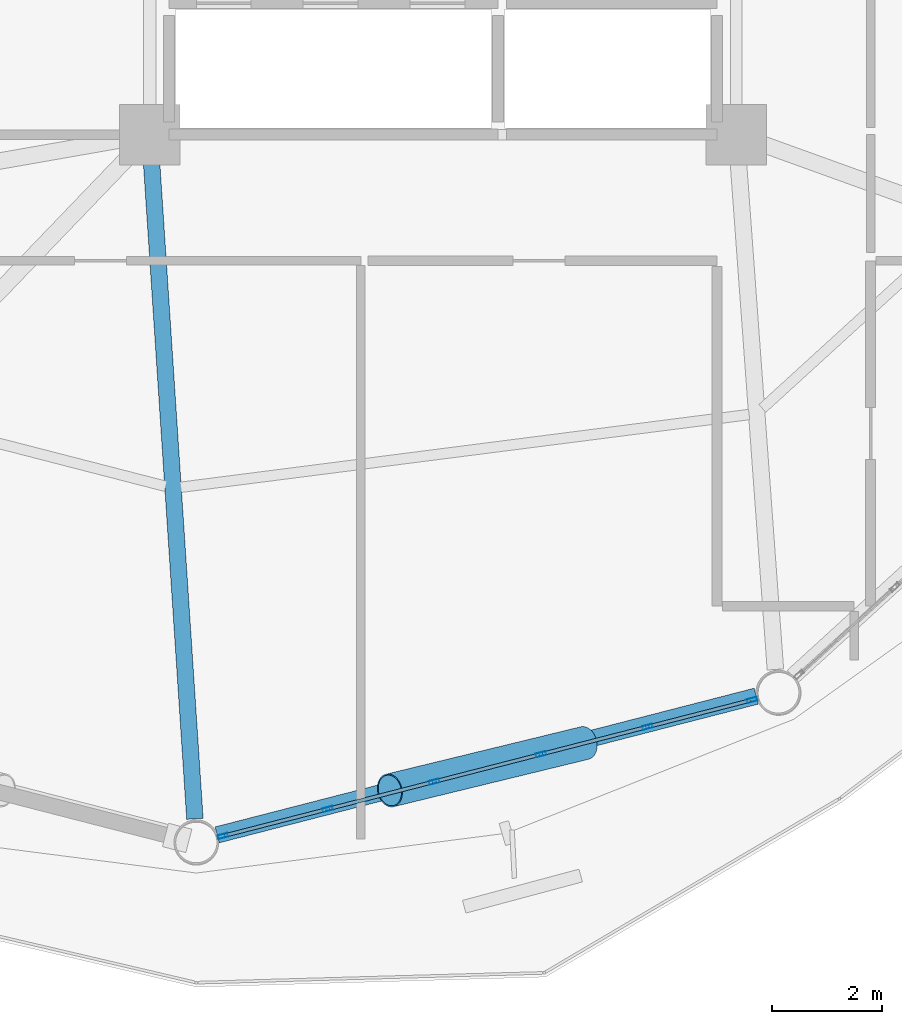
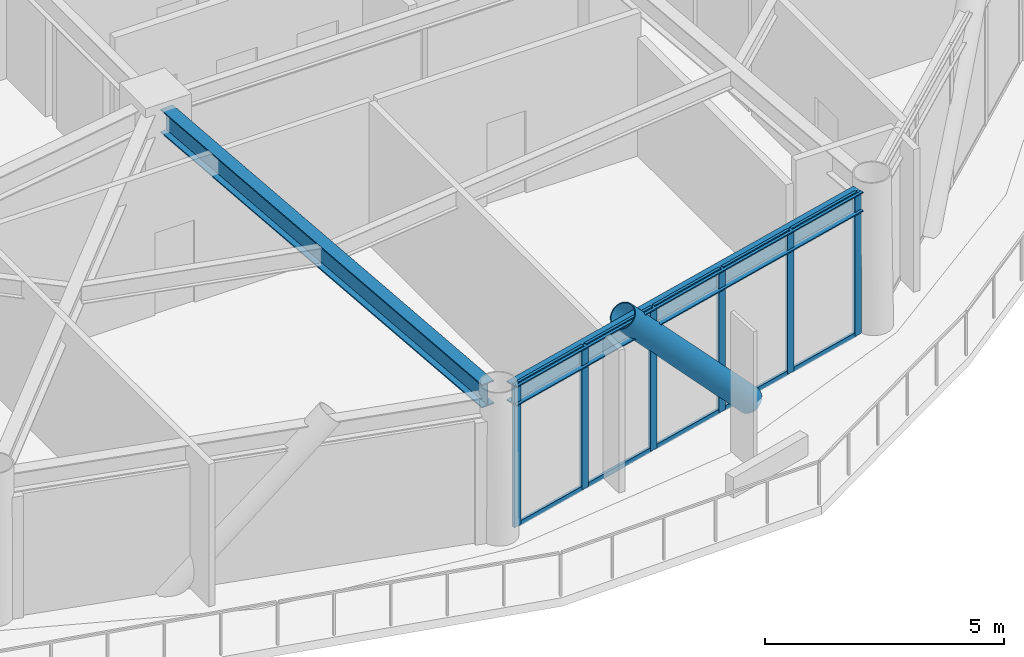
# One storey, part 5 of 23: 17 members, 2 beams, 1 element without a shape of its own.
"""IFC4 building model written with IfcOpenShell, lengths in metres."""

from ifc_helpers import new_model, si_unit, direction, frame, origin, origin_2d, place, context, subcontext, project, spatial, hollow_rectangle, hollow_circle, i_section, extrude, material, layer, layer_set, material_profile, profile_set, type_object, element, aggregate, save


model = new_model("IFC4")

# Units and contexts
model_context = context("Model", 3, precision=1e-05, world=origin(), true_north=direction((0.0, 1.0)))
body_context = subcontext(model_context, "Body", "Model", "MODEL_VIEW")
ifc_project = project(units=[si_unit("LENGTHUNIT", "METRE"), si_unit("AREAUNIT", "SQUARE_METRE"), si_unit("VOLUMEUNIT", "CUBIC_METRE"), si_unit("PLANEANGLEUNIT", "RADIAN"), si_unit("MASSUNIT", "GRAM", prefix="KILO")], contexts=[model_context])

# Site, building, storey
site_placement = place(None, origin())
site = spatial("IfcSite", under=ifc_project, at=site_placement, CompositionType="ELEMENT")
building_placement = place(site_placement, origin())
building = spatial("IfcBuilding", under=site, at=building_placement, Name="Varnakorn Sky Granary", CompositionType="ELEMENT")
storey_placement = place(building_placement, frame((0.0, 0.0, 114.89990234375)))
storey = spatial("IfcBuildingStorey", under=building, at=storey_placement, Name="L28", CompositionType="ELEMENT", Elevation=114.89990234375)

# Beams
ifc_material_1 = material(Name="Steel S355JR", Category="steel")
ifc_material_profile_1 = material_profile(ifc_material_1, i_section(OverallWidth=0.300048828125, OverallDepth=0.60009765625, WebThickness=0.015380859375, FlangeThickness=0.030029296875, at=origin_2d()), Name="HE 600 B")
ifc_profile_set_1 = profile_set([ifc_material_profile_1], Name="Steel S355JR")
beam_type_1 = type_object("IfcBeamType", Name="BM-RAD-Z2", PredefinedType="BEAM", material=ifc_profile_set_1)
beam_1_placement = place(storey_placement, frame((-2.322265625, -7.01904296875, 3.340087890625), z_axis=(0.065895538639, -0.997826527001, 0.0), x_axis=(0.997826527001, 0.065895538639, 0.0)))
element("IfcBeam", 1, at=beam_1_placement, inside=storey, type_object=beam_type_1, Name="Radial Floor Girder RG10 L28", PredefinedType="BEAM", context=body_context, shape_type="SweptSolid", body=[
    extrude(i_section(OverallWidth=0.300048828125, OverallDepth=0.60009765625, WebThickness=0.015380859375, FlangeThickness=0.030029296875, at=origin_2d()), origin(), (0.0, 0.0, 1.0), 12.085693359375),
])
ifc_material_profile_2 = material_profile(ifc_material_1, i_section(OverallWidth=0.300048828125, OverallDepth=0.5, WebThickness=0.014404296875, FlangeThickness=0.028076171875, at=origin_2d()), Name="HE 500 B")
ifc_profile_set_2 = profile_set([ifc_material_profile_2], Name="Steel S355JR")
beam_type_2 = type_object("IfcBeamType", Name="BM-SPD-Z2", PredefinedType="SPANDREL", material=ifc_profile_set_2)
beam_2_placement = place(storey_placement, frame((-1.120849609375, -19.371337890625, 3.39013671875), z_axis=(0.968454808445, 0.249189253381, 0.0), x_axis=(-0.249189253381, 0.968454808445, 0.0)))
element("IfcBeam", 2, at=beam_2_placement, inside=storey, type_object=beam_type_2, Name="Perimeter Spandrel Ring Beam RB10 L28", PredefinedType="SPANDREL", context=body_context, shape_type="SweptSolid", body=[
    extrude(i_section(OverallWidth=0.300048828125, OverallDepth=0.5, WebThickness=0.014404296875, FlangeThickness=0.028076171875, at=origin_2d()), origin(), (0.0, 0.0, 1.0), 10.153076171875),
])

# Curtain wall, members
ifc_material_2 = material(Name="Anodised Bronze Aluminium Alloy 6063-T6", Category="aluminium")
ifc_layer = layer(ifc_material_2, 0.179931640625, Name="Anodised Bronze Aluminium Alloy 6063-T6")
ifc_layer_set = layer_set([ifc_layer], Name="Anodised Bronze Aluminium Alloy 6063-T6")
curtain_wall_type = type_object("IfcCurtainWallType", Name="CW-FRM-2", PredefinedType="USERDEFINED", material=ifc_layer_set)
curtain_wall_placement = place(storey_placement, origin())
curtain_wall = element("IfcCurtainWall", 3, at=curtain_wall_placement, inside=storey, type_object=curtain_wall_type, Name="Unitised Curtain Wall CW4 CW-L28-B10", ObjectType="CURTAIN WALL", PredefinedType="USERDEFINED")
ifc_material_profile_3 = material_profile(ifc_material_2, hollow_rectangle(XDim=0.070068359375, YDim=0.18505859375, WallThickness=0.00390625, at=origin_2d()), Name="ALU MULL 70x185")
ifc_profile_set_3 = profile_set([ifc_material_profile_3], Name="Anodised Bronze Aluminium Alloy 6063-T6")
member_type_1 = type_object("IfcMemberType", Name="CW-FRM-2-MULL", PredefinedType="MULLION", material=ifc_profile_set_3)
member_1_placement = place(storey_placement, frame((8.63818359375, -16.91015625, 0.0), z_axis=(0.0, 0.0, 1.0), x_axis=(0.249019411328, -0.968498493949, 0.0)))
member_1 = element("IfcMember", 4, at=member_1_placement, type_object=member_type_1, Name="CW4 mullion 1", PredefinedType="MULLION", context=body_context, shape_type="SweptSolid", body=[
    extrude(hollow_rectangle(XDim=0.070068359375, YDim=0.18505859375, WallThickness=0.00390625, at=origin_2d()), origin(), (0.0, 0.0, 1.0), 3.64013671875),
])
member_2_placement = place(storey_placement, frame((6.72802734375, -17.4013671875, 0.0), z_axis=(0.0, 0.0, 1.0), x_axis=(0.249019411328, -0.968498493949, 0.0)))
member_2 = element("IfcMember", 5, at=member_2_placement, type_object=member_type_1, Name="CW4 mullion 2", PredefinedType="MULLION", context=body_context, shape_type="SweptSolid", body=[
    extrude(hollow_rectangle(XDim=0.070068359375, YDim=0.18505859375, WallThickness=0.00390625, at=origin_2d()), origin(), (0.0, 0.0, 1.0), 3.64013671875),
])
member_3_placement = place(storey_placement, frame((4.783935546875, -17.901123046875, 0.0), z_axis=(0.0, 0.0, 1.0), x_axis=(0.249019411328, -0.968498493949, 0.0)))
member_3 = element("IfcMember", 6, at=member_3_placement, type_object=member_type_1, Name="CW4 mullion 3", PredefinedType="MULLION", context=body_context, shape_type="SweptSolid", body=[
    extrude(hollow_rectangle(XDim=0.070068359375, YDim=0.18505859375, WallThickness=0.00390625, at=origin_2d()), origin(), (0.0, 0.0, 1.0), 3.64013671875),
])
member_4_placement = place(storey_placement, frame((2.83984375, -18.401123046875, 0.0), z_axis=(0.0, 0.0, 1.0), x_axis=(0.249019411328, -0.968498493949, 0.0)))
member_4 = element("IfcMember", 7, at=member_4_placement, type_object=member_type_1, Name="CW4 mullion 4", PredefinedType="MULLION", context=body_context, shape_type="SweptSolid", body=[
    extrude(hollow_rectangle(XDim=0.070068359375, YDim=0.18505859375, WallThickness=0.00390625, at=origin_2d()), origin(), (0.0, 0.0, 1.0), 3.64013671875),
])
member_5_placement = place(storey_placement, frame((0.89599609375, -18.90087890625, 0.0), z_axis=(0.0, 0.0, 1.0), x_axis=(0.249019411328, -0.968498493949, 0.0)))
member_5 = element("IfcMember", 8, at=member_5_placement, type_object=member_type_1, Name="CW4 mullion 5", PredefinedType="MULLION", context=body_context, shape_type="SweptSolid", body=[
    extrude(hollow_rectangle(XDim=0.070068359375, YDim=0.18505859375, WallThickness=0.00390625, at=origin_2d()), origin(), (0.0, 0.0, 1.0), 3.64013671875),
])
member_6_placement = place(storey_placement, frame((-1.014404296875, -19.39208984375, 0.0), z_axis=(0.0, 0.0, 1.0), x_axis=(0.249019411328, -0.968498493949, 0.0)))
member_6 = element("IfcMember", 9, at=member_6_placement, type_object=member_type_1, Name="CW4 mullion 6", PredefinedType="MULLION", context=body_context, shape_type="SweptSolid", body=[
    extrude(hollow_rectangle(XDim=0.070068359375, YDim=0.18505859375, WallThickness=0.00390625, at=origin_2d()), origin(), (0.0, 0.0, 1.0), 3.64013671875),
])
ifc_material_profile_4 = material_profile(ifc_material_2, hollow_rectangle(XDim=0.06494140625, YDim=0.1201171875, WallThickness=0.00341796875, at=origin_2d()), Name="ALU TRAN 65x120")
ifc_profile_set_4 = profile_set([ifc_material_profile_4], Name="Anodised Bronze Aluminium Alloy 6063-T6")
member_type_2 = type_object("IfcMemberType", Name="CW-FRM-2-TRAN", PredefinedType="USERDEFINED", material=ifc_profile_set_4)
member_7_placement = place(storey_placement, frame((8.6044921875, -16.9189453125, 0.03271484375), z_axis=(-0.968513269715, -0.248961937624, 0.0), x_axis=(0.248961937624, -0.968513269715, 0.0)))
member_7 = element("IfcMember", 10, at=member_7_placement, type_object=member_type_2, Name="CW4 transom 1.1", ObjectType="TRANSOM", PredefinedType="USERDEFINED", context=body_context, shape_type="SweptSolid", body=[
    extrude(hollow_rectangle(XDim=0.06494140625, YDim=0.1201171875, WallThickness=0.00341796875, at=origin_2d()), origin(), (0.0, 0.0, 1.0), 1.90234375),
])
member_8_placement = place(storey_placement, frame((8.6044921875, -16.9189453125, 3.607666015625), z_axis=(-0.968513269715, -0.248961937624, 0.0), x_axis=(0.248961937624, -0.968513269715, 0.0)))
member_8 = element("IfcMember", 11, at=member_8_placement, type_object=member_type_2, Name="CW4 transom 1.2", ObjectType="TRANSOM", PredefinedType="USERDEFINED", context=body_context, shape_type="SweptSolid", body=[
    extrude(hollow_rectangle(XDim=0.06494140625, YDim=0.1201171875, WallThickness=0.00341796875, at=origin_2d()), origin(), (0.0, 0.0, 1.0), 1.90234375),
])
member_9_placement = place(storey_placement, frame((6.6943359375, -17.41015625, 0.03271484375), z_axis=(-0.968505088512, -0.248993762022, 0.0), x_axis=(0.248993762022, -0.968505088512, 0.0)))
member_9 = element("IfcMember", 12, at=member_9_placement, type_object=member_type_2, Name="CW4 transom 2.1", ObjectType="TRANSOM", PredefinedType="USERDEFINED", context=body_context, shape_type="SweptSolid", body=[
    extrude(hollow_rectangle(XDim=0.06494140625, YDim=0.1201171875, WallThickness=0.00341796875, at=origin_2d()), origin(), (0.0, 0.0, 1.0), 1.9375),
])
member_10_placement = place(storey_placement, frame((6.6943359375, -17.41015625, 3.607666015625), z_axis=(-0.968505088512, -0.248993762022, 0.0), x_axis=(0.248993762022, -0.968505088512, 0.0)))
member_10 = element("IfcMember", 13, at=member_10_placement, type_object=member_type_2, Name="CW4 transom 2.2", ObjectType="TRANSOM", PredefinedType="USERDEFINED", context=body_context, shape_type="SweptSolid", body=[
    extrude(hollow_rectangle(XDim=0.06494140625, YDim=0.1201171875, WallThickness=0.00341796875, at=origin_2d()), origin(), (0.0, 0.0, 1.0), 1.9375),
])
member_11_placement = place(storey_placement, frame((4.750244140625, -17.909912109375, 0.03271484375), z_axis=(-0.968505088512, -0.248993762022, 0.0), x_axis=(0.248993762022, -0.968505088512, 0.0)))
member_11 = element("IfcMember", 14, at=member_11_placement, type_object=member_type_2, Name="CW4 transom 3.1", ObjectType="TRANSOM", PredefinedType="USERDEFINED", context=body_context, shape_type="SweptSolid", body=[
    extrude(hollow_rectangle(XDim=0.06494140625, YDim=0.1201171875, WallThickness=0.00341796875, at=origin_2d()), origin(), (0.0, 0.0, 1.0), 1.9375),
])
member_12_placement = place(storey_placement, frame((4.750244140625, -17.909912109375, 3.607666015625), z_axis=(-0.968505088512, -0.248993762022, 0.0), x_axis=(0.248993762022, -0.968505088512, 0.0)))
member_12 = element("IfcMember", 15, at=member_12_placement, type_object=member_type_2, Name="CW4 transom 3.2", ObjectType="TRANSOM", PredefinedType="USERDEFINED", context=body_context, shape_type="SweptSolid", body=[
    extrude(hollow_rectangle(XDim=0.06494140625, YDim=0.1201171875, WallThickness=0.00341796875, at=origin_2d()), origin(), (0.0, 0.0, 1.0), 1.9375),
])
member_13_placement = place(storey_placement, frame((2.80615234375, -18.409912109375, 0.03271484375), z_axis=(-0.968505088512, -0.248993762022, 0.0), x_axis=(0.248993762022, -0.968505088512, 0.0)))
member_13 = element("IfcMember", 16, at=member_13_placement, type_object=member_type_2, Name="CW4 transom 4.1", ObjectType="TRANSOM", PredefinedType="USERDEFINED", context=body_context, shape_type="SweptSolid", body=[
    extrude(hollow_rectangle(XDim=0.06494140625, YDim=0.1201171875, WallThickness=0.00341796875, at=origin_2d()), origin(), (0.0, 0.0, 1.0), 1.9375),
])
member_14_placement = place(storey_placement, frame((2.80615234375, -18.409912109375, 3.607666015625), z_axis=(-0.968505088512, -0.248993762022, 0.0), x_axis=(0.248993762022, -0.968505088512, 0.0)))
member_14 = element("IfcMember", 17, at=member_14_placement, type_object=member_type_2, Name="CW4 transom 4.2", ObjectType="TRANSOM", PredefinedType="USERDEFINED", context=body_context, shape_type="SweptSolid", body=[
    extrude(hollow_rectangle(XDim=0.06494140625, YDim=0.1201171875, WallThickness=0.00341796875, at=origin_2d()), origin(), (0.0, 0.0, 1.0), 1.9375),
])
member_15_placement = place(storey_placement, frame((0.862060546875, -18.90966796875, 0.03271484375), z_axis=(-0.968513269715, -0.248961937624, 0.0), x_axis=(0.248961937624, -0.968513269715, 0.0)))
member_15 = element("IfcMember", 18, at=member_15_placement, type_object=member_type_2, Name="CW4 transom 5.1", ObjectType="TRANSOM", PredefinedType="USERDEFINED", context=body_context, shape_type="SweptSolid", body=[
    extrude(hollow_rectangle(XDim=0.06494140625, YDim=0.1201171875, WallThickness=0.00341796875, at=origin_2d()), origin(), (0.0, 0.0, 1.0), 1.90234375),
])
member_16_placement = place(storey_placement, frame((0.862060546875, -18.90966796875, 3.607666015625), z_axis=(-0.968513269715, -0.248961937624, 0.0), x_axis=(0.248961937624, -0.968513269715, 0.0)))
member_16 = element("IfcMember", 19, at=member_16_placement, type_object=member_type_2, Name="CW4 transom 5.2", ObjectType="TRANSOM", PredefinedType="USERDEFINED", context=body_context, shape_type="SweptSolid", body=[
    extrude(hollow_rectangle(XDim=0.06494140625, YDim=0.1201171875, WallThickness=0.00341796875, at=origin_2d()), origin(), (0.0, 0.0, 1.0), 1.90234375),
])
aggregate(curtain_wall, [member_1, member_2, member_3, member_4, member_5, member_6, member_7, member_8, member_9, member_10, member_11, member_12, member_13, member_14, member_15, member_16])

# Member
ifc_material_3 = material(Name="Steel S460M", Category="steel")
ifc_material_profile_5 = material_profile(ifc_material_3, hollow_circle(Radius=0.304931640625, WallThickness=0.022216796875, at=origin_2d()), Name="CHS 610x22")
ifc_profile_set_5 = profile_set([ifc_material_profile_5], Name="Steel S460M")
member_type_3 = type_object("IfcMemberType", Name="MB-DIAG-T1", PredefinedType="BRACE", material=ifc_profile_set_5)
member_17_placement = place(storey_placement, frame((5.582763671875, -17.69580078125, -0.1298828125), z_axis=(-0.66273004736, -0.161321546818, 0.731275763894), x_axis=(0.236513445211, -0.971628216055, 0.0)))
element("IfcMember", 20, at=member_17_placement, inside=storey, type_object=member_type_3, Name="Perimeter CHS Diagrid Brace DG10 L28", PredefinedType="BRACE", context=body_context, shape_type="SweptSolid", body=[
    extrude(hollow_circle(Radius=0.304931640625, WallThickness=0.022216796875, at=origin_2d()), origin(), (0.0, 0.0, 1.0), 5.3603515625),
])

save(model, "model.ifc")
